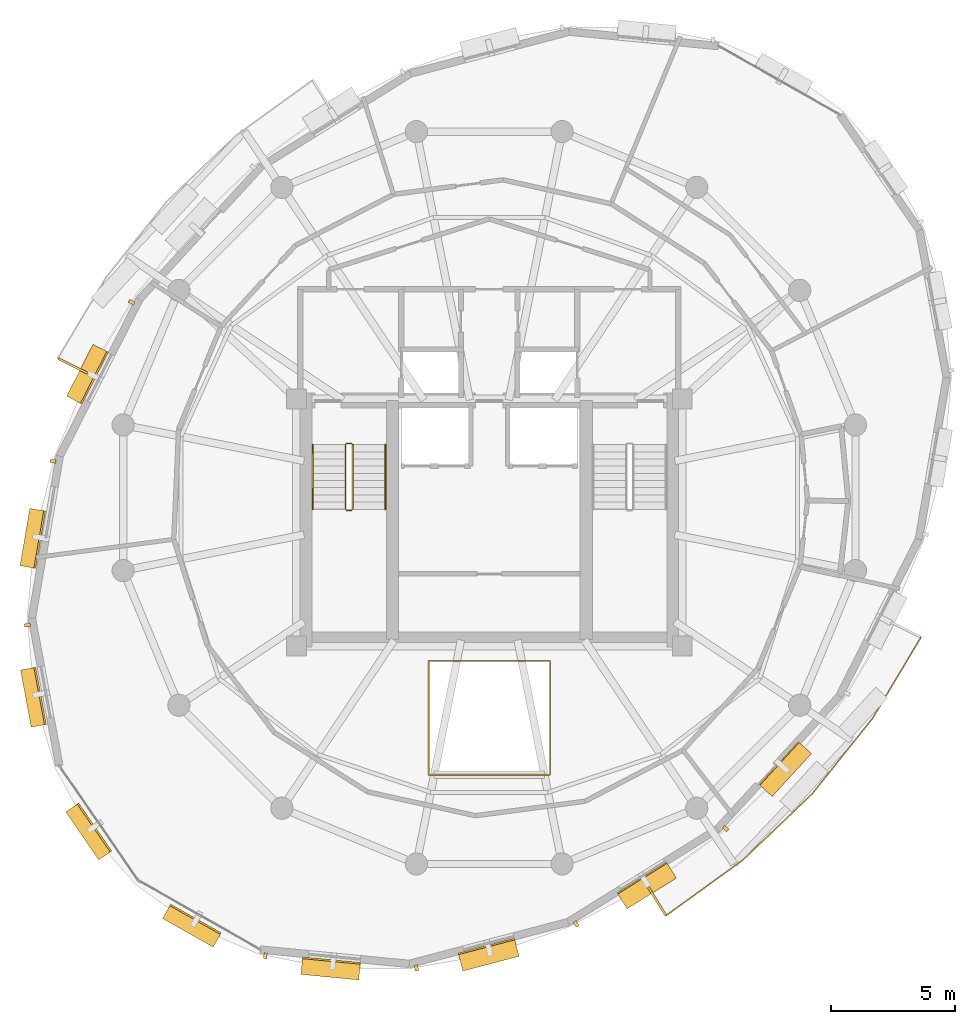
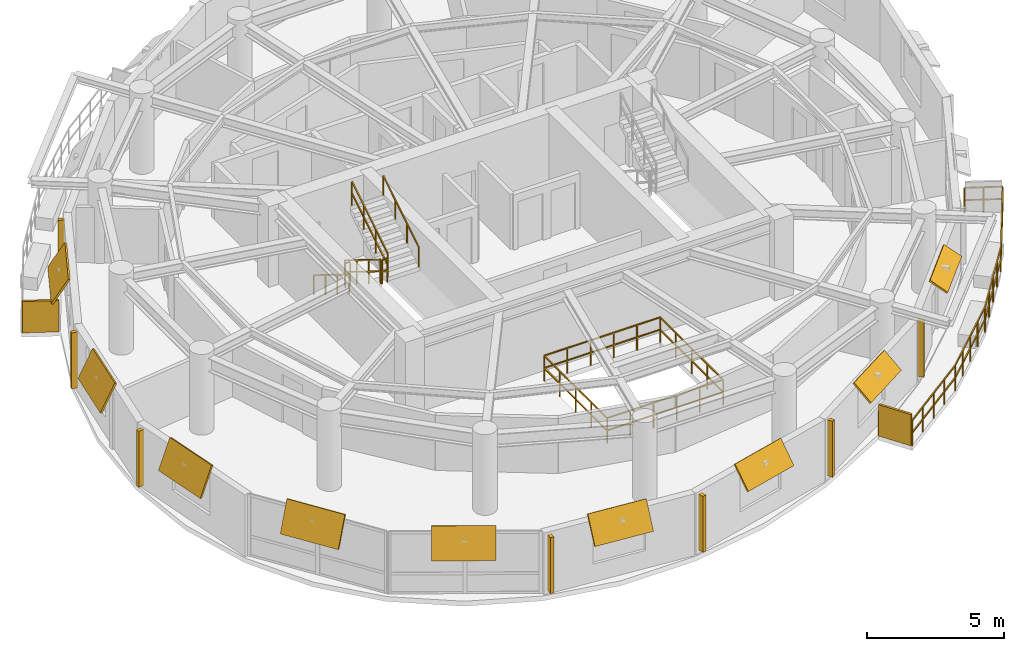
# One storey, part 11 of 12: 18 shading devices, 8 railings.
"""IFC4 building model written with IfcOpenShell, lengths in metres."""

from ifc_helpers import new_model, si_unit, direction, frame, origin, origin_2d, place, context, subcontext, project, spatial, rectangle, extrude, material, layer, layer_set, type_object, element, save


model = new_model("IFC4")

# Units and contexts
model_context = context("Model", 3, precision=1e-05, world=origin(), true_north=direction((0.0, 1.0)))
body_context = subcontext(model_context, "Body", "Model", "MODEL_VIEW")
ifc_project = project(units=[si_unit("LENGTHUNIT", "METRE"), si_unit("AREAUNIT", "SQUARE_METRE"), si_unit("VOLUMEUNIT", "CUBIC_METRE"), si_unit("PLANEANGLEUNIT", "RADIAN"), si_unit("MASSUNIT", "GRAM", prefix="KILO"), si_unit("THERMODYNAMICTEMPERATUREUNIT", "KELVIN"), si_unit("POWERUNIT", "WATT")], contexts=[model_context])

# Site, building, storey
site_placement = place(None, origin())
site = spatial("IfcSite", under=ifc_project, at=site_placement, CompositionType="ELEMENT")
building_placement = place(site_placement, origin())
building = spatial("IfcBuilding", under=site, at=building_placement, Name="Ocrelia Relay Tower", CompositionType="ELEMENT")
storey_placement = place(building_placement, frame((0.0, 0.0, 230.39990234375)))
storey = spatial("IfcBuildingStorey", under=building, at=storey_placement, Name="L56", CompositionType="ELEMENT", Elevation=230.39990234375)

# Railings
ifc_material_1 = material(Name="Steel S355 balustrade", Category="steel")
railing_type_1 = type_object("IfcRailingType", Name="RL-EXT-GUARD-1150", PredefinedType="GUARDRAIL", material=ifc_material_1)
railing_1_placement = place(storey_placement, frame((50.21826171875, 20.984375, 0.0)))
element("IfcRailing", 1, at=railing_1_placement, inside=storey, type_object=railing_type_1, Name="L56 Loggia Balcony Guard Rail B2", PredefinedType="GUARDRAIL", context=body_context, shape_type="SweptSolid", body=[
    extrude(rectangle(XDim=0.048095703125, YDim=0.048095703125, at=origin_2d()), frame((0.0, 0.0, 1.1259765625), z_axis=(0.892456368806, -0.451133716073, 0.0), x_axis=(0.451133716073, 0.892456368806, 0.0)), (0.0, 0.0, 1.0), 1.3935546875),
    extrude(rectangle(XDim=0.048095703125, YDim=0.048095703125, at=origin_2d()), frame((0.0, 0.0, 0.574951171875), z_axis=(0.892456368806, -0.451133716073, 0.0), x_axis=(0.451133716073, 0.892456368806, 0.0)), (0.0, 0.0, 1.0), 1.3935546875),
    extrude(rectangle(XDim=0.048095703125, YDim=0.048095703125, at=origin_2d()), frame((1.24365234375, -0.628662109375, 1.1259765625), z_axis=(-0.512868634031, -0.858467101424, 0.0), x_axis=(0.858467101424, -0.512868634031, 0.0)), (0.0, 0.0, 1.0), 1.9208984375),
    extrude(rectangle(XDim=0.048095703125, YDim=0.048095703125, at=origin_2d()), frame((1.24365234375, -0.628662109375, 0.574951171875), z_axis=(-0.512868634031, -0.858467101424, 0.0), x_axis=(0.858467101424, -0.512868634031, 0.0)), (0.0, 0.0, 1.0), 1.9208984375),
    extrude(rectangle(XDim=0.048095703125, YDim=0.048095703125, at=origin_2d()), frame((0.258544921875, -2.277587890625, 1.1259765625), z_axis=(-0.512962296898, -0.858411138069, 0.0), x_axis=(0.858411138069, -0.512962296898, 0.0)), (0.0, 0.0, 1.0), 1.9208984375),
    extrude(rectangle(XDim=0.048095703125, YDim=0.048095703125, at=origin_2d()), frame((0.258544921875, -2.277587890625, 0.574951171875), z_axis=(-0.512962296898, -0.858411138069, 0.0), x_axis=(0.858411138069, -0.512962296898, 0.0)), (0.0, 0.0, 1.0), 1.9208984375),
    extrude(rectangle(XDim=0.048095703125, YDim=0.048095703125, at=origin_2d()), frame((-0.726806640625, -3.926513671875, 1.1259765625), z_axis=(-0.624595333257, -0.780948570441, 0.0), x_axis=(0.780948570441, -0.624595333257, 0.0)), (0.0, 0.0, 1.0), 3.8818359375),
    extrude(rectangle(XDim=0.048095703125, YDim=0.048095703125, at=origin_2d()), frame((-0.726806640625, -3.926513671875, 0.574951171875), z_axis=(-0.624595333257, -0.780948570441, 0.0), x_axis=(0.780948570441, -0.624595333257, 0.0)), (0.0, 0.0, 1.0), 3.8818359375),
    extrude(rectangle(XDim=0.048095703125, YDim=0.048095703125, at=origin_2d()), frame((-3.1513671875, -6.9580078125, 1.1259765625), z_axis=(-0.7235154417, -0.690308196114, 0.0), x_axis=(0.690308196114, -0.7235154417, 0.0)), (0.0, 0.0, 1.0), 3.8818359375),
    extrude(rectangle(XDim=0.048095703125, YDim=0.048095703125, at=origin_2d()), frame((-3.1513671875, -6.9580078125, 0.574951171875), z_axis=(-0.7235154417, -0.690308196114, 0.0), x_axis=(0.690308196114, -0.7235154417, 0.0)), (0.0, 0.0, 1.0), 3.8818359375),
    extrude(rectangle(XDim=0.048095703125, YDim=0.048095703125, at=origin_2d()), frame((-5.9599609375, -9.6376953125, 1.1259765625), z_axis=(-0.810535085156, -0.585690085055, 0.0), x_axis=(0.585690085055, -0.810535085156, 0.0)), (0.0, 0.0, 1.0), 1.9208984375),
    extrude(rectangle(XDim=0.048095703125, YDim=0.048095703125, at=origin_2d()), frame((-5.9599609375, -9.6376953125, 0.574951171875), z_axis=(-0.810535085156, -0.585690085055, 0.0), x_axis=(0.585690085055, -0.810535085156, 0.0)), (0.0, 0.0, 1.0), 1.9208984375),
    extrude(rectangle(XDim=0.048095703125, YDim=0.048095703125, at=origin_2d()), frame((-7.516845703125, -10.7626953125, 1.1259765625), z_axis=(-0.810431130374, -0.585833920937, 0.0), x_axis=(0.585833920937, -0.810431130374, 0.0)), (0.0, 0.0, 1.0), 1.920654296875),
    extrude(rectangle(XDim=0.048095703125, YDim=0.048095703125, at=origin_2d()), frame((-7.516845703125, -10.7626953125, 0.574951171875), z_axis=(-0.810431130374, -0.585833920937, 0.0), x_axis=(0.585833920937, -0.810431130374, 0.0)), (0.0, 0.0, 1.0), 1.920654296875),
    extrude(rectangle(XDim=0.048095703125, YDim=0.048095703125, at=origin_2d()), frame((-9.073486328125, -11.887939453125, 1.1259765625), z_axis=(-0.527192759195, 0.849745723527, 0.0), x_axis=(-0.849745723527, -0.527192759195, 0.0)), (0.0, 0.0, 1.0), 1.3935546875),
    extrude(rectangle(XDim=0.048095703125, YDim=0.048095703125, at=origin_2d()), frame((-9.073486328125, -11.887939453125, 0.574951171875), z_axis=(-0.527192759195, 0.849745723527, 0.0), x_axis=(-0.849745723527, -0.527192759195, 0.0)), (0.0, 0.0, 1.0), 1.3935546875),
    extrude(rectangle(XDim=0.0419921875, YDim=0.0419921875, at=origin_2d()), origin(), (0.0, 0.0, 1.0), 1.101806640625),
    extrude(rectangle(XDim=0.0419921875, YDim=0.0419921875, at=origin_2d()), frame((0.621826171875, -0.314453125, 0.0)), (0.0, 0.0, 1.0), 1.101806640625),
    extrude(rectangle(XDim=0.0419921875, YDim=0.0419921875, at=origin_2d()), frame((1.24365234375, -0.628662109375, 0.0)), (0.0, 0.0, 1.0), 1.101806640625),
    extrude(rectangle(XDim=0.0419921875, YDim=0.0419921875, at=origin_2d()), frame((0.7509765625, -1.453125, 0.0)), (0.0, 0.0, 1.0), 1.101806640625),
    extrude(rectangle(XDim=0.0419921875, YDim=0.0419921875, at=origin_2d()), frame((0.258544921875, -2.277587890625, 0.0)), (0.0, 0.0, 1.0), 1.101806640625),
    extrude(rectangle(XDim=0.0419921875, YDim=0.0419921875, at=origin_2d()), frame((-0.234130859375, -3.10205078125, 0.0)), (0.0, 0.0, 1.0), 1.101806640625),
    extrude(rectangle(XDim=0.0419921875, YDim=0.0419921875, at=origin_2d()), frame((-0.726806640625, -3.926513671875, 0.0)), (0.0, 0.0, 1.0), 1.101806640625),
    extrude(rectangle(XDim=0.0419921875, YDim=0.0419921875, at=origin_2d()), frame((-1.3330078125, -4.684326171875, 0.0)), (0.0, 0.0, 1.0), 1.101806640625),
    extrude(rectangle(XDim=0.0419921875, YDim=0.0419921875, at=origin_2d()), frame((-1.93896484375, -5.4423828125, 0.0)), (0.0, 0.0, 1.0), 1.101806640625),
    extrude(rectangle(XDim=0.0419921875, YDim=0.0419921875, at=origin_2d()), frame((-2.545166015625, -6.2001953125, 0.0)), (0.0, 0.0, 1.0), 1.101806640625),
    extrude(rectangle(XDim=0.0419921875, YDim=0.0419921875, at=origin_2d()), frame((-3.1513671875, -6.9580078125, 0.0)), (0.0, 0.0, 1.0), 1.101806640625),
    extrude(rectangle(XDim=0.0419921875, YDim=0.0419921875, at=origin_2d()), frame((-3.853515625, -7.6279296875, 0.0)), (0.0, 0.0, 1.0), 1.101806640625),
    extrude(rectangle(XDim=0.0419921875, YDim=0.0419921875, at=origin_2d()), frame((-4.5556640625, -8.2978515625, 0.0)), (0.0, 0.0, 1.0), 1.101806640625),
    extrude(rectangle(XDim=0.0419921875, YDim=0.0419921875, at=origin_2d()), frame((-5.2578125, -8.9677734375, 0.0)), (0.0, 0.0, 1.0), 1.101806640625),
    extrude(rectangle(XDim=0.0419921875, YDim=0.0419921875, at=origin_2d()), frame((-5.9599609375, -9.6376953125, 0.0)), (0.0, 0.0, 1.0), 1.101806640625),
    extrude(rectangle(XDim=0.0419921875, YDim=0.0419921875, at=origin_2d()), frame((-6.73828125, -10.2001953125, 0.0)), (0.0, 0.0, 1.0), 1.101806640625),
    extrude(rectangle(XDim=0.0419921875, YDim=0.0419921875, at=origin_2d()), frame((-7.516845703125, -10.7626953125, 0.0)), (0.0, 0.0, 1.0), 1.101806640625),
    extrude(rectangle(XDim=0.0419921875, YDim=0.0419921875, at=origin_2d()), frame((-8.295166015625, -11.3251953125, 0.0)), (0.0, 0.0, 1.0), 1.101806640625),
    extrude(rectangle(XDim=0.0419921875, YDim=0.0419921875, at=origin_2d()), frame((-9.073486328125, -11.887939453125, 0.0)), (0.0, 0.0, 1.0), 1.101806640625),
    extrude(rectangle(XDim=0.0419921875, YDim=0.0419921875, at=origin_2d()), frame((-9.44091796875, -11.2958984375, 0.0)), (0.0, 0.0, 1.0), 1.101806640625),
    extrude(rectangle(XDim=0.0419921875, YDim=0.0419921875, at=origin_2d()), frame((-9.80810546875, -10.703857421875, 0.0)), (0.0, 0.0, 1.0), 1.101806640625),
])
ifc_material_2 = material(Name="Steel S355 atrium balustrade", Category="steel")
railing_type_2 = type_object("IfcRailingType", Name="RL-INT-GUARD-115", PredefinedType="GUARDRAIL", material=ifc_material_2)
railing_2_placement = place(storey_placement, frame((31.550048828125, 14.800048828125, 0.0)))
element("IfcRailing", 2, at=railing_2_placement, inside=storey, type_object=railing_type_2, Name="L56 Multi-Zone Interior Atrium Guard", PredefinedType="GUARDRAIL", context=body_context, shape_type="SweptSolid", body=[
    extrude(rectangle(XDim=0.048095703125, YDim=0.048095703125, at=origin_2d()), frame((0.0, 0.0, 1.1259765625), z_axis=(1.0, 0.0, 0.0), x_axis=(0.0, 1.0, 0.0)), (0.0, 0.0, 1.0), 4.89990234375),
    extrude(rectangle(XDim=0.048095703125, YDim=0.048095703125, at=origin_2d()), frame((0.0, 0.0, 0.574951171875), z_axis=(1.0, 0.0, 0.0), x_axis=(0.0, 1.0, 0.0)), (0.0, 0.0, 1.0), 4.89990234375),
    extrude(rectangle(XDim=0.048095703125, YDim=0.048095703125, at=origin_2d()), frame((4.89990234375, 0.0, 1.1259765625), z_axis=(0.0, 1.0, 0.0), x_axis=(-1.0, 0.0, 0.0)), (0.0, 0.0, 1.0), 4.599853515625),
    extrude(rectangle(XDim=0.048095703125, YDim=0.048095703125, at=origin_2d()), frame((4.89990234375, 0.0, 0.574951171875), z_axis=(0.0, 1.0, 0.0), x_axis=(-1.0, 0.0, 0.0)), (0.0, 0.0, 1.0), 4.599853515625),
    extrude(rectangle(XDim=0.048095703125, YDim=0.048095703125, at=origin_2d()), frame((4.89990234375, 4.599853515625, 1.1259765625), z_axis=(-1.0, 0.0, 0.0), x_axis=(0.0, -1.0, 0.0)), (0.0, 0.0, 1.0), 4.89990234375),
    extrude(rectangle(XDim=0.048095703125, YDim=0.048095703125, at=origin_2d()), frame((4.89990234375, 4.599853515625, 0.574951171875), z_axis=(-1.0, 0.0, 0.0), x_axis=(0.0, -1.0, 0.0)), (0.0, 0.0, 1.0), 4.89990234375),
    extrude(rectangle(XDim=0.048095703125, YDim=0.048095703125, at=origin_2d()), frame((0.0, 4.599853515625, 1.1259765625), z_axis=(0.0, -1.0, 0.0), x_axis=(1.0, 0.0, 0.0)), (0.0, 0.0, 1.0), 4.599853515625),
    extrude(rectangle(XDim=0.048095703125, YDim=0.048095703125, at=origin_2d()), frame((0.0, 4.599853515625, 0.574951171875), z_axis=(0.0, -1.0, 0.0), x_axis=(1.0, 0.0, 0.0)), (0.0, 0.0, 1.0), 4.599853515625),
    extrude(rectangle(XDim=0.0419921875, YDim=0.0419921875, at=origin_2d()), origin(), (0.0, 0.0, 1.0), 1.101806640625),
    extrude(rectangle(XDim=0.0419921875, YDim=0.0419921875, at=origin_2d()), frame((0.97998046875, 0.0, 0.0)), (0.0, 0.0, 1.0), 1.101806640625),
    extrude(rectangle(XDim=0.0419921875, YDim=0.0419921875, at=origin_2d()), frame((1.9599609375, 0.0, 0.0)), (0.0, 0.0, 1.0), 1.101806640625),
    extrude(rectangle(XDim=0.0419921875, YDim=0.0419921875, at=origin_2d()), frame((2.93994140625, 0.0, 0.0)), (0.0, 0.0, 1.0), 1.101806640625),
    extrude(rectangle(XDim=0.0419921875, YDim=0.0419921875, at=origin_2d()), frame((3.919921875, 0.0, 0.0)), (0.0, 0.0, 1.0), 1.101806640625),
    extrude(rectangle(XDim=0.0419921875, YDim=0.0419921875, at=origin_2d()), frame((4.89990234375, 0.0, 0.0)), (0.0, 0.0, 1.0), 1.101806640625),
    extrude(rectangle(XDim=0.0419921875, YDim=0.0419921875, at=origin_2d()), frame((4.89990234375, 1.14990234375, 0.0)), (0.0, 0.0, 1.0), 1.101806640625),
    extrude(rectangle(XDim=0.0419921875, YDim=0.0419921875, at=origin_2d()), frame((4.89990234375, 2.2998046875, 0.0)), (0.0, 0.0, 1.0), 1.101806640625),
    extrude(rectangle(XDim=0.0419921875, YDim=0.0419921875, at=origin_2d()), frame((4.89990234375, 3.449951171875, 0.0)), (0.0, 0.0, 1.0), 1.101806640625),
    extrude(rectangle(XDim=0.0419921875, YDim=0.0419921875, at=origin_2d()), frame((4.89990234375, 4.599853515625, 0.0)), (0.0, 0.0, 1.0), 1.101806640625),
    extrude(rectangle(XDim=0.0419921875, YDim=0.0419921875, at=origin_2d()), frame((3.919921875, 4.599853515625, 0.0)), (0.0, 0.0, 1.0), 1.101806640625),
    extrude(rectangle(XDim=0.0419921875, YDim=0.0419921875, at=origin_2d()), frame((2.93994140625, 4.599853515625, 0.0)), (0.0, 0.0, 1.0), 1.101806640625),
    extrude(rectangle(XDim=0.0419921875, YDim=0.0419921875, at=origin_2d()), frame((1.9599609375, 4.599853515625, 0.0)), (0.0, 0.0, 1.0), 1.101806640625),
    extrude(rectangle(XDim=0.0419921875, YDim=0.0419921875, at=origin_2d()), frame((0.97998046875, 4.599853515625, 0.0)), (0.0, 0.0, 1.0), 1.101806640625),
    extrude(rectangle(XDim=0.0419921875, YDim=0.0419921875, at=origin_2d()), frame((0.0, 4.599853515625, 0.0)), (0.0, 0.0, 1.0), 1.101806640625),
    extrude(rectangle(XDim=0.0419921875, YDim=0.0419921875, at=origin_2d()), frame((0.0, 3.449951171875, 0.0)), (0.0, 0.0, 1.0), 1.101806640625),
    extrude(rectangle(XDim=0.0419921875, YDim=0.0419921875, at=origin_2d()), frame((0.0, 2.2998046875, 0.0)), (0.0, 0.0, 1.0), 1.101806640625),
    extrude(rectangle(XDim=0.0419921875, YDim=0.0419921875, at=origin_2d()), frame((0.0, 1.14990234375, 0.0)), (0.0, 0.0, 1.0), 1.101806640625),
])
railing_type_3 = type_object("IfcRailingType", Name="RL-STAIR-GUARD", PredefinedType="GUARDRAIL", material=ifc_material_1)
railing_3_placement = place(storey_placement, frame((28.179931640625, 28.14990234375, 0.18017578125)))
element("IfcRailing", 3, at=railing_3_placement, inside=storey, type_object=railing_type_3, Name="L56 ST1 stair guard 1", PredefinedType="GUARDRAIL", context=body_context, shape_type="SweptSolid", body=[
    extrude(rectangle(XDim=0.048095703125, YDim=0.048095703125, at=origin_2d()), frame((0.0, 0.0, 1.076171875), z_axis=(0.0, -0.849646306263, 0.527352969322), x_axis=(1.0, 0.0, 0.0)), (0.0, 0.0, 1.0), 3.07177734375),
    extrude(rectangle(XDim=0.048095703125, YDim=0.048095703125, at=origin_2d()), frame((0.0, 0.0, 0.550048828125), z_axis=(0.0, -0.849646306263, 0.527352969322), x_axis=(1.0, 0.0, 0.0)), (0.0, 0.0, 1.0), 3.07177734375),
    extrude(rectangle(XDim=0.0419921875, YDim=0.0419921875, at=origin_2d()), origin(), (0.0, 0.0, 1.0), 1.052001953125),
    extrude(rectangle(XDim=0.0419921875, YDim=0.0419921875, at=origin_2d()), frame((0.0, -0.869873046875, 0.5400390625)), (0.0, 0.0, 1.0), 1.052001953125),
    extrude(rectangle(XDim=0.0419921875, YDim=0.0419921875, at=origin_2d()), frame((0.0, -1.739990234375, 1.079833984375)), (0.0, 0.0, 1.0), 1.052001953125),
    extrude(rectangle(XDim=0.0419921875, YDim=0.0419921875, at=origin_2d()), frame((0.0, -2.60986328125, 1.619873046875)), (0.0, 0.0, 1.0), 1.052001953125),
])
railing_4_placement = place(storey_placement, frame((28.22998046875, 25.489990234375, 1.800048828125)))
element("IfcRailing", 4, at=railing_4_placement, inside=storey, type_object=railing_type_3, Name="L56 ST1 stair guard 2", PredefinedType="GUARDRAIL", context=body_context, shape_type="SweptSolid", body=[
    extrude(rectangle(XDim=0.048095703125, YDim=0.048095703125, at=origin_2d()), frame((0.0, 0.0, 1.076171875), z_axis=(1.0, 0.0, 0.0), x_axis=(0.0, 1.0, 0.0)), (0.0, 0.0, 1.0), 0.199951171875),
    extrude(rectangle(XDim=0.048095703125, YDim=0.048095703125, at=origin_2d()), frame((0.0, 0.0, 0.550048828125), z_axis=(1.0, 0.0, 0.0), x_axis=(0.0, 1.0, 0.0)), (0.0, 0.0, 1.0), 0.199951171875),
    extrude(rectangle(XDim=0.0419921875, YDim=0.0419921875, at=origin_2d()), origin(), (0.0, 0.0, 1.0), 1.052001953125),
    extrude(rectangle(XDim=0.0419921875, YDim=0.0419921875, at=origin_2d()), frame((0.199951171875, 0.0, 0.0)), (0.0, 0.0, 1.0), 1.052001953125),
])
railing_5_placement = place(storey_placement, frame((28.47998046875, 25.5400390625, 1.97998046875)))
element("IfcRailing", 5, at=railing_5_placement, inside=storey, type_object=railing_type_3, Name="L56 ST1 stair guard 3", PredefinedType="GUARDRAIL", context=body_context, shape_type="SweptSolid", body=[
    extrude(rectangle(XDim=0.048095703125, YDim=0.048095703125, at=origin_2d()), frame((0.0, 0.0, 1.076171875), z_axis=(0.0, 0.849610693518, 0.52741034258), x_axis=(-1.0, 0.0, 0.0)), (0.0, 0.0, 1.0), 3.07177734375),
    extrude(rectangle(XDim=0.048095703125, YDim=0.048095703125, at=origin_2d()), frame((0.0, 0.0, 0.550048828125), z_axis=(0.0, 0.849610693518, 0.52741034258), x_axis=(-1.0, 0.0, 0.0)), (0.0, 0.0, 1.0), 3.07177734375),
    extrude(rectangle(XDim=0.0419921875, YDim=0.0419921875, at=origin_2d()), origin(), (0.0, 0.0, 1.0), 1.052001953125),
    extrude(rectangle(XDim=0.0419921875, YDim=0.0419921875, at=origin_2d()), frame((0.0, 0.869873046875, 0.5400390625)), (0.0, 0.0, 1.0), 1.052001953125),
    extrude(rectangle(XDim=0.0419921875, YDim=0.0419921875, at=origin_2d()), frame((0.0, 1.739990234375, 1.080078125)), (0.0, 0.0, 1.0), 1.052001953125),
    extrude(rectangle(XDim=0.0419921875, YDim=0.0419921875, at=origin_2d()), frame((0.0, 2.60986328125, 1.6201171875)), (0.0, 0.0, 1.0), 1.052001953125),
])
railing_6_placement = place(storey_placement, frame((28.22998046875, 28.199951171875, 0.0)))
element("IfcRailing", 6, at=railing_6_placement, inside=storey, type_object=railing_type_3, Name="L56 ST1 stair guard 4", PredefinedType="GUARDRAIL", context=body_context, shape_type="SweptSolid", body=[
    extrude(rectangle(XDim=0.048095703125, YDim=0.048095703125, at=origin_2d()), frame((0.0, 0.0, 1.076171875), z_axis=(1.0, 0.0, 0.0), x_axis=(0.0, 1.0, 0.0)), (0.0, 0.0, 1.0), 0.199951171875),
    extrude(rectangle(XDim=0.048095703125, YDim=0.048095703125, at=origin_2d()), frame((0.0, 0.0, 0.550048828125), z_axis=(1.0, 0.0, 0.0), x_axis=(0.0, 1.0, 0.0)), (0.0, 0.0, 1.0), 0.199951171875),
    extrude(rectangle(XDim=0.0419921875, YDim=0.0419921875, at=origin_2d()), origin(), (0.0, 0.0, 1.0), 1.052001953125),
    extrude(rectangle(XDim=0.0419921875, YDim=0.0419921875, at=origin_2d()), frame((0.199951171875, 0.0, 0.0)), (0.0, 0.0, 1.0), 1.052001953125),
])
ifc_material_3 = material(Name="Steel S355 tubular handrail", Category="steel")
railing_type_4 = type_object("IfcRailingType", Name="RL-STAIR-HAND", PredefinedType="HANDRAIL", material=ifc_material_3)
railing_7_placement = place(storey_placement, frame((26.860107421875, 28.14990234375, 0.18017578125)))
element("IfcRailing", 7, at=railing_7_placement, inside=storey, type_object=railing_type_4, Name="L56 ST1 stair handrail 1", PredefinedType="HANDRAIL", context=body_context, shape_type="SweptSolid", body=[
    extrude(rectangle(XDim=0.048095703125, YDim=0.048095703125, at=origin_2d()), frame((0.0, 0.0, 0.8759765625), z_axis=(0.0, -0.849646306263, 0.527352969322), x_axis=(1.0, 0.0, 0.0)), (0.0, 0.0, 1.0), 3.07177734375),
    extrude(rectangle(XDim=0.0419921875, YDim=0.0419921875, at=origin_2d()), origin(), (0.0, 0.0, 1.0), 0.851806640625),
    extrude(rectangle(XDim=0.0419921875, YDim=0.0419921875, at=origin_2d()), frame((0.0, -0.869873046875, 0.5400390625)), (0.0, 0.0, 1.0), 0.851806640625),
    extrude(rectangle(XDim=0.0419921875, YDim=0.0419921875, at=origin_2d()), frame((0.0, -1.739990234375, 1.079833984375)), (0.0, 0.0, 1.0), 0.851806640625),
    extrude(rectangle(XDim=0.0419921875, YDim=0.0419921875, at=origin_2d()), frame((0.0, -2.60986328125, 1.619873046875)), (0.0, 0.0, 1.0), 0.851806640625),
])
railing_8_placement = place(storey_placement, frame((29.800048828125, 25.5400390625, 1.97998046875)))
element("IfcRailing", 8, at=railing_8_placement, inside=storey, type_object=railing_type_4, Name="L56 ST1 stair handrail 2", PredefinedType="HANDRAIL", context=body_context, shape_type="SweptSolid", body=[
    extrude(rectangle(XDim=0.048095703125, YDim=0.048095703125, at=origin_2d()), frame((0.0, 0.0, 0.8759765625), z_axis=(0.0, 0.849610693518, 0.52741034258), x_axis=(-1.0, 0.0, 0.0)), (0.0, 0.0, 1.0), 3.07177734375),
    extrude(rectangle(XDim=0.0419921875, YDim=0.0419921875, at=origin_2d()), origin(), (0.0, 0.0, 1.0), 0.851806640625),
    extrude(rectangle(XDim=0.0419921875, YDim=0.0419921875, at=origin_2d()), frame((0.0, 0.869873046875, 0.5400390625)), (0.0, 0.0, 1.0), 0.851806640625),
    extrude(rectangle(XDim=0.0419921875, YDim=0.0419921875, at=origin_2d()), frame((0.0, 1.739990234375, 1.080078125)), (0.0, 0.0, 1.0), 0.851806640625),
    extrude(rectangle(XDim=0.0419921875, YDim=0.0419921875, at=origin_2d()), frame((0.0, 2.60986328125, 1.6201171875)), (0.0, 0.0, 1.0), 0.851806640625),
])

# Shading devices
ifc_material_4 = material(Name="Perforated oxide terracotta solar screen", Category="masonry")
ifc_layer_1 = layer(ifc_material_4, 0.090087890625, Name="Perforated oxide terracotta solar screen")
ifc_layer_set_1 = layer_set([ifc_layer_1], Name="Perforated oxide terracotta solar screen")
shading_device_type_1 = type_object("IfcShadingDeviceType", Name="SH-BALC-SCREEN", PredefinedType="USERDEFINED", material=ifc_layer_set_1)
for number, where, z_axis, x_axis, name in (
    (9, (17.159912109375, 31.330078125, 0.000244140625), (0.0, 0.0, 1.0), (-0.892466669124, 0.451113338866, 0.0), "L56 Balcony Perforated Terracotta Screen B1-2"),
    (10, (40.777587890625, 9.6884765625, 0.000244140625), (0.0, 0.0, 1.0), (0.527209213766, -0.849735514687, 0.0), "L56 Balcony Perforated Terracotta Screen B2-1"),
):
    element("IfcShadingDevice", number, at=place(storey_placement, frame(where, z_axis=z_axis, x_axis=x_axis)), inside=storey, type_object=shading_device_type_1, Name=name, ObjectType="SCREEN", PredefinedType="USERDEFINED", context=body_context, shape_type="SweptSolid", body=[
        extrude(rectangle(XDim=1.340087890625, YDim=0.090087890625, at=origin_2d()), origin(), (0.0, 0.0, 1.0), 1.39990234375),
    ])
ifc_material_5 = material(Name="Extruded oxide terracotta vertical baguette", Category="masonry")
shading_device_type_2 = type_object("IfcShadingDeviceType", Name="SH-TERR-BAGUETTE", PredefinedType="USERDEFINED", material=ifc_material_5)
for number, where, z_axis, x_axis, name in (
    (11, (19.532958984375, 33.913330078125, 0.130126953125), (0.0, 0.0, 1.0), (-0.452574254264, -0.891726720682, 0.0), "L56 Oxide Terracotta Vertical Baguette 06"),
    (12, (16.359130859375, 27.480712890625, 0.130126953125), (0.0, 0.0, 1.0), (-0.169288865435, -0.985566476723, 0.0), "L56 Oxide Terracotta Vertical Baguette 07"),
    (13, (15.319580078125, 20.85302734375, 0.130126953125), (0.0, 0.0, 1.0), (0.182551188178, -0.98319635053, 0.0), "L56 Oxide Terracotta Vertical Baguette 08"),
    (14, (24.94482421875, 7.478759765625, 0.130126953125), (0.0, 0.0, 1.0), (0.995366071038, -0.096158123039, 0.0), "L56 Oxide Terracotta Vertical Baguette 11"),
    (15, (31.052490234375, 6.986572265625, 0.130126953125), (0.0, 0.0, 1.0), (0.96706459219, 0.254531087556, 0.0), "L56 Oxide Terracotta Vertical Baguette 12"),
    (16, (37.511474609375, 8.7705078125, 0.130126953125), (0.0, 0.0, 1.0), (0.848887747124, 0.528573166916, 0.0), "L56 Oxide Terracotta Vertical Baguette 13"),
    (17, (43.557861328125, 12.621337890625, 0.130126953125), (0.0, 0.0, 1.0), (0.675589882971, 0.737277634292, 0.0), "L56 Oxide Terracotta Vertical Baguette 14"),
):
    element("IfcShadingDevice", number, at=place(storey_placement, frame(where, z_axis=z_axis, x_axis=x_axis)), inside=storey, type_object=shading_device_type_2, Name=name, ObjectType="BAGUETTE", PredefinedType="USERDEFINED", context=body_context, shape_type="SweptSolid", body=[
        extrude(rectangle(XDim=0.139892578125, YDim=0.239990234375, at=origin_2d()), origin(), (0.0, 0.0, 1.0), 2.5),
    ])
ifc_material_6 = material(Name="Extruded oxide terracotta fin", Category="masonry")
ifc_layer_2 = layer(ifc_material_6, 0.080078125, Name="Extruded oxide terracotta fin")
ifc_layer_set_2 = layer_set([ifc_layer_2], Name="Extruded oxide terracotta fin")
shading_device_type_3 = type_object("IfcShadingDeviceType", Name="SH-VISOR-FIN-DEEP", PredefinedType="USERDEFINED", material=ifc_layer_set_2)
shading_device_1_placement = place(storey_placement, frame((17.78076171875, 30.98486328125, 2.580078125), z_axis=(-0.770775211023, 0.391188251113, 0.50286909456), x_axis=(-0.452574254264, -0.891726720682, 0.0)))
element("IfcShadingDevice", 18, at=shading_device_1_placement, inside=storey, type_object=shading_device_type_3, Name="L56 Canted Terracotta Sun-Visor Fin 06", ObjectType="FIN", PredefinedType="USERDEFINED", context=body_context, shape_type="SweptSolid", body=[
    extrude(rectangle(XDim=2.35009765625, YDim=1.2470703125, at=origin_2d()), origin(), (0.0, 0.0, 1.0), 0.080078125),
])
shading_device_2_placement = place(storey_placement, frame((15.570556640625, 24.3515625, 2.5830078125), z_axis=(-0.890001633901, 0.152873875478, 0.429565675827), x_axis=(-0.169288865435, -0.985566476723, 0.0)))
element("IfcShadingDevice", 19, at=shading_device_2_placement, inside=storey, type_object=shading_device_type_3, Name="L56 Canted Terracotta Sun-Visor Fin 07", ObjectType="FIN", PredefinedType="USERDEFINED", context=body_context, shape_type="SweptSolid", body=[
    extrude(rectangle(XDim=2.35009765625, YDim=1.325927734375, at=origin_2d()), origin(), (0.0, 0.0, 1.0), 0.080078125),
])
shading_device_3_placement = place(storey_placement, frame((15.59814453125, 17.942138671875, 2.583740234375), z_axis=(-0.898124750254, -0.166755847093, 0.406896080641), x_axis=(0.182551188178, -0.98319635053, 0.0)))
element("IfcShadingDevice", 20, at=shading_device_3_placement, inside=storey, type_object=shading_device_type_3, Name="L56 Canted Terracotta Sun-Visor Fin 08", ObjectType="FIN", PredefinedType="USERDEFINED", context=body_context, shape_type="SweptSolid", body=[
    extrude(rectangle(XDim=2.35009765625, YDim=1.35009765625, at=origin_2d()), origin(), (0.0, 0.0, 1.0), 0.080078125),
])
shading_device_4_placement = place(storey_placement, frame((17.830078125, 12.522705078125, 2.583251953125), z_axis=(-0.747698231831, -0.514788601903, 0.419452082446), x_axis=(0.567086774101, -0.823658054438, 0.0)))
element("IfcShadingDevice", 21, at=shading_device_4_placement, inside=storey, type_object=shading_device_type_3, Name="L56 Canted Terracotta Sun-Visor Fin 09", ObjectType="FIN", PredefinedType="USERDEFINED", context=body_context, shape_type="SweptSolid", body=[
    extrude(rectangle(XDim=2.35009765625, YDim=1.3369140625, at=origin_2d()), origin(), (0.0, 0.0, 1.0), 0.080078125),
])
shading_device_5_placement = place(storey_placement, frame((21.989501953125, 8.7255859375, 2.581787109375), z_axis=(-0.438377097983, -0.773327155976, 0.458029070905), x_axis=(0.869945755345, -0.493147424972, 0.0)))
element("IfcShadingDevice", 22, at=shading_device_5_placement, inside=storey, type_object=shading_device_type_3, Name="L56 Canted Terracotta Sun-Visor Fin 10", ObjectType="FIN", PredefinedType="USERDEFINED", context=body_context, shape_type="SweptSolid", body=[
    extrude(rectangle(XDim=2.35009765625, YDim=1.2958984375, at=origin_2d()), origin(), (0.0, 0.0, 1.0), 0.080078125),
])
shading_device_6_placement = place(storey_placement, frame((27.58740234375, 6.996337890625, 2.5791015625), z_axis=(-0.08204084667, -0.849233248678, 0.521605395695), x_axis=(0.995366071038, -0.096158123039, 0.0)))
element("IfcShadingDevice", 23, at=shading_device_6_placement, inside=storey, type_object=shading_device_type_3, Name="L56 Canted Terracotta Sun-Visor Fin 11", ObjectType="FIN", PredefinedType="USERDEFINED", context=body_context, shape_type="SweptSolid", body=[
    extrude(rectangle(XDim=2.35009765625, YDim=1.22607421875, at=origin_2d()), origin(), (0.0, 0.0, 1.0), 0.080078125),
])
ifc_layer_3 = layer(ifc_material_6, 0.080078125, Name="Extruded oxide terracotta fin")
ifc_layer_set_3 = layer_set([ifc_layer_3], Name="Extruded oxide terracotta fin")
shading_device_type_4 = type_object("IfcShadingDeviceType", Name="SH-VISOR-FIN-MED", PredefinedType="USERDEFINED", material=ifc_layer_set_3)
shading_device_7_placement = place(storey_placement, frame((33.96533203125, 7.55029296875, 2.575439453125), z_axis=(0.201037303622, -0.763820482241, 0.613320693815), x_axis=(0.96706459219, 0.254531087556, 0.0)))
element("IfcShadingDevice", 24, at=shading_device_7_placement, inside=storey, type_object=shading_device_type_4, Name="L56 Canted Terracotta Sun-Visor Fin 12", ObjectType="FIN", PredefinedType="USERDEFINED", context=body_context, shape_type="SweptSolid", body=[
    extrude(rectangle(XDim=2.35009765625, YDim=1.1201171875, at=origin_2d()), origin(), (0.0, 0.0, 1.0), 0.080078125),
])
shading_device_8_placement = place(storey_placement, frame((40.354248046875, 10.342529296875, 2.57080078125), z_axis=(0.361900476022, -0.581211644863, 0.72884914031), x_axis=(0.848887747124, 0.528573166916, 0.0)))
element("IfcShadingDevice", 25, at=shading_device_8_placement, inside=storey, type_object=shading_device_type_4, Name="L56 Canted Terracotta Sun-Visor Fin 13", ObjectType="FIN", PredefinedType="USERDEFINED", context=body_context, shape_type="SweptSolid", body=[
    extrude(rectangle(XDim=2.35009765625, YDim=0.969970703125, at=origin_2d()), origin(), (0.0, 0.0, 1.0), 0.080078125),
])
shading_device_9_placement = place(storey_placement, frame((45.956298828125, 15.0439453125, 2.56640625), z_axis=(0.399605650331, -0.366170791008, 0.840377460452), x_axis=(0.675589882971, 0.737277634292, 0.0)))
element("IfcShadingDevice", 26, at=shading_device_9_placement, inside=storey, type_object=shading_device_type_4, Name="L56 Canted Terracotta Sun-Visor Fin 14", ObjectType="FIN", PredefinedType="USERDEFINED", context=body_context, shape_type="SweptSolid", body=[
    extrude(rectangle(XDim=2.35009765625, YDim=0.797119140625, at=origin_2d()), origin(), (0.0, 0.0, 1.0), 0.080078125),
])

save(model, "model.ifc")
